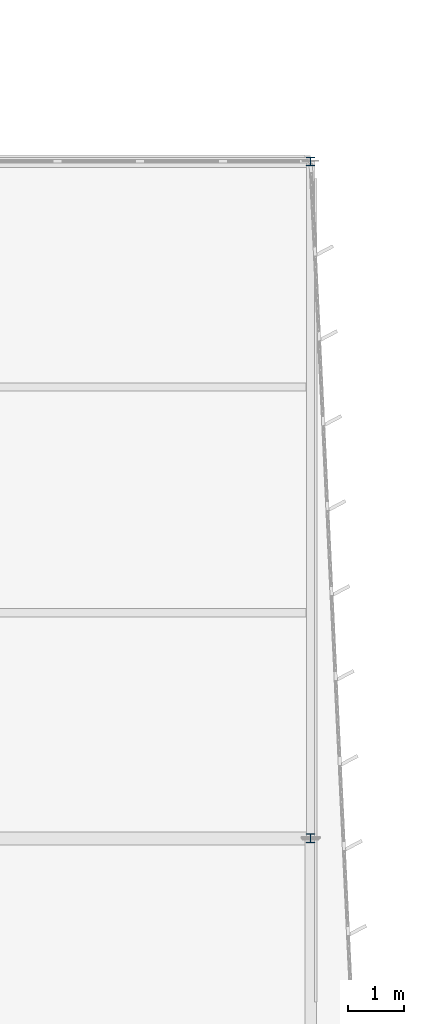
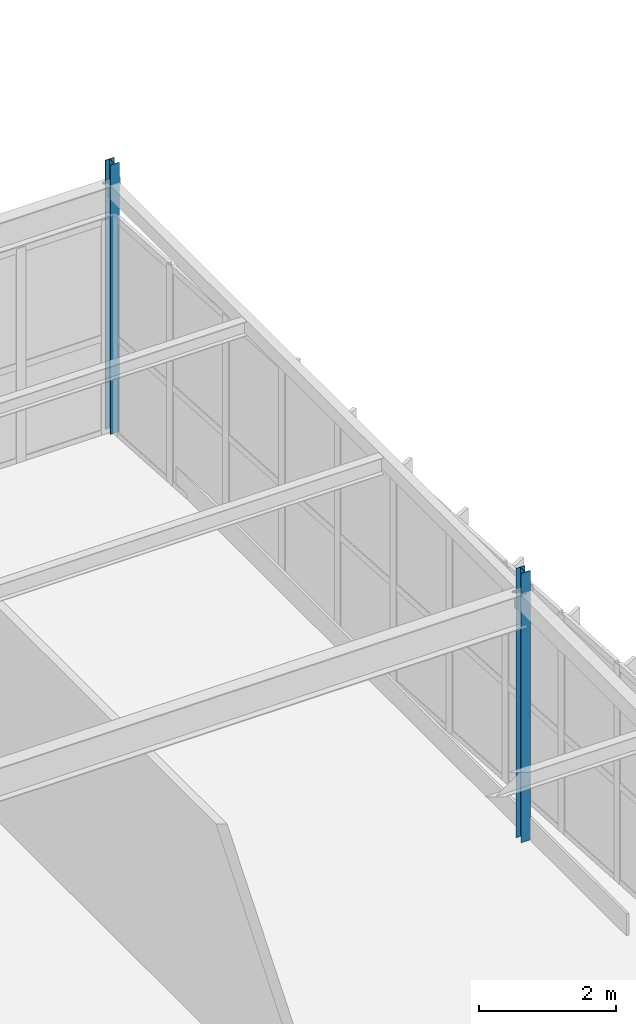
# One storey, part 43 of 186: 2 columns.
"""IFC4 building model written with IfcOpenShell, lengths in metres."""

from ifc_helpers import new_model, si_unit, direction, frame, origin, origin_2d, place, context, subcontext, project, spatial, i_section, extrude, material, material_profile, profile_set, type_object, element, save


model = new_model("IFC4")

# Units and contexts
model_context = context("Model", 3, precision=1e-05, world=origin(), true_north=direction((0.0, 1.0)))
body_context = subcontext(model_context, "Body", "Model", "MODEL_VIEW")
ifc_project = project(units=[si_unit("LENGTHUNIT", "METRE"), si_unit("AREAUNIT", "SQUARE_METRE"), si_unit("VOLUMEUNIT", "CUBIC_METRE"), si_unit("PLANEANGLEUNIT", "RADIAN"), si_unit("MASSUNIT", "GRAM", prefix="KILO")], contexts=[model_context])

# Site, building, storey
site_placement = place(None, origin())
site = spatial("IfcSite", under=ifc_project, at=site_placement, CompositionType="ELEMENT")
building_placement = place(site_placement, origin())
building = spatial("IfcBuilding", under=site, at=building_placement, Name="Tarnwether General Hospital", CompositionType="ELEMENT")
storey_placement = place(building_placement, frame((0.0, 0.0, 9.60009765625)))
storey = spatial("IfcBuildingStorey", under=building, at=storey_placement, Name="L02", CompositionType="ELEMENT", Elevation=9.60009765625)

# Columns
ifc_material_1 = material(Name="Steel Grade 350 (350 MPa)", Category="steel")
ifc_material_profile_1 = material_profile(ifc_material_1, i_section(OverallWidth=0.153076171875, OverallDepth=0.157958984375, WebThickness=0.006591796875, FlangeThickness=0.009521484375, at=origin_2d()), Name="150UC30.0")
ifc_profile_set_1 = profile_set([ifc_material_profile_1], Name="Steel Grade 350 (350 MPa)")
column_type_1 = type_object("IfcColumnType", Name="COL-31", PredefinedType="COLUMN", material=ifc_profile_set_1)
column_1_placement = place(storey_placement, frame((192.0, 33.60009765625, 0.0), z_axis=(0.0, 0.0, 1.0), x_axis=(1.0, 0.0, 0.0)))
element("IfcColumn", 1, at=column_1_placement, inside=storey, type_object=column_type_1, Name="Column COLG-L02-19200_3360", PredefinedType="COLUMN", context=body_context, shape_type="SweptSolid", body=[
    extrude(i_section(OverallWidth=0.153076171875, OverallDepth=0.157958984375, WebThickness=0.006591796875, FlangeThickness=0.009521484375, at=origin_2d()), origin(), (0.0, 0.0, 1.0), 4.7998046875),
])
ifc_material_2 = material(Name="Steel Grade 350 (350 MPa)", Category="steel")
ifc_material_profile_2 = material_profile(ifc_material_2, i_section(OverallWidth=0.152099609375, OverallDepth=0.152099609375, WebThickness=0.006103515625, FlangeThickness=0.0068359375, at=origin_2d()), Name="150UC23.4")
ifc_profile_set_2 = profile_set([ifc_material_profile_2], Name="Steel Grade 350 (350 MPa)")
column_type_2 = type_object("IfcColumnType", Name="COL-32", PredefinedType="COLUMN", material=ifc_profile_set_2)
column_2_placement = place(storey_placement, frame((192.0, 45.60009765625, 0.0), z_axis=(0.0, 0.0, 1.0), x_axis=(1.0, 0.0, 0.0)))
element("IfcColumn", 2, at=column_2_placement, inside=storey, type_object=column_type_2, Name="Column COLG-L02-19200_4560", PredefinedType="COLUMN", context=body_context, shape_type="SweptSolid", body=[
    extrude(i_section(OverallWidth=0.152099609375, OverallDepth=0.152099609375, WebThickness=0.006103515625, FlangeThickness=0.0068359375, at=origin_2d()), origin(), (0.0, 0.0, 1.0), 4.7998046875),
])

save(model, "model.ifc")
